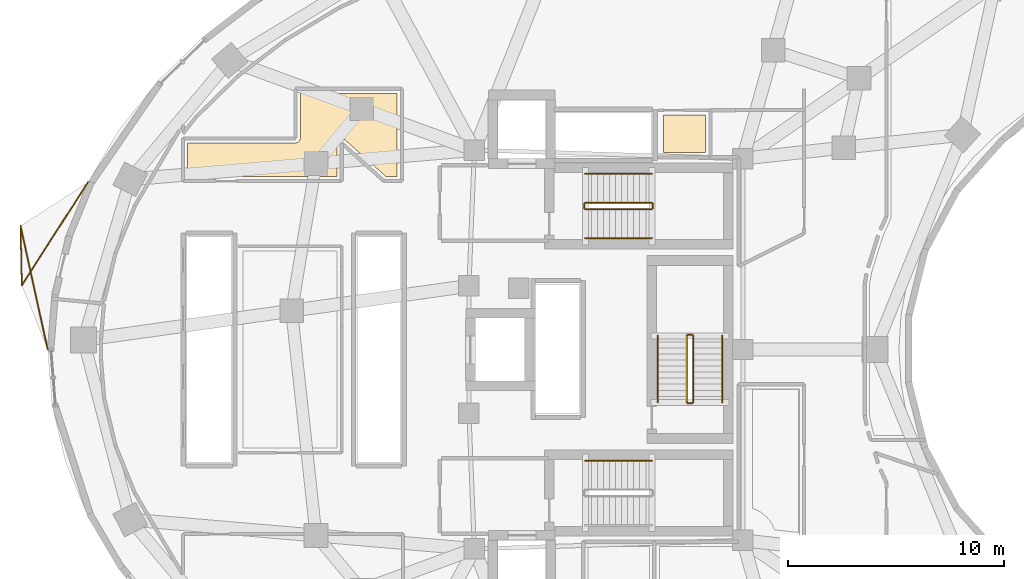
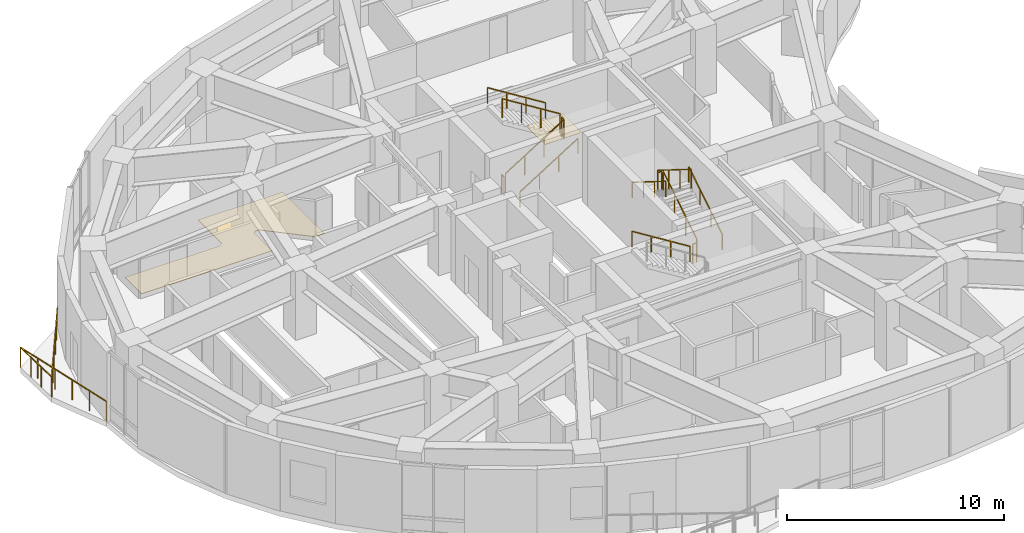
# One storey, part 12 of 13: 14 railings, 2 coverings.
"""IFC4 building model written with IfcOpenShell, lengths in metres."""

from ifc_helpers import new_model, si_unit, direction, frame, origin, origin_2d, place, context, subcontext, project, spatial, polyline, rectangle, outline, extrude, material, layer, layer_set, type_object, element, save


model = new_model("IFC4")

# Units and contexts
model_context = context("Model", 3, precision=1e-05, world=origin(), true_north=direction((0.0, 1.0)))
body_context = subcontext(model_context, "Body", "Model", "MODEL_VIEW")
ifc_project = project(units=[si_unit("LENGTHUNIT", "METRE"), si_unit("AREAUNIT", "SQUARE_METRE"), si_unit("VOLUMEUNIT", "CUBIC_METRE"), si_unit("PLANEANGLEUNIT", "RADIAN"), si_unit("MASSUNIT", "GRAM", prefix="KILO")], contexts=[model_context])

# Site, building, storey
site_placement = place(None, origin())
site = spatial("IfcSite", under=ifc_project, at=site_placement, CompositionType="ELEMENT")
building_placement = place(site_placement, origin())
building = spatial("IfcBuilding", under=site, at=building_placement, Name="Korentha Bioscience Tower", CompositionType="ELEMENT")
storey_placement = place(building_placement, frame((0.0, 0.0, 144.60009765625)))
storey = spatial("IfcBuildingStorey", under=building, at=storey_placement, Name="L33", CompositionType="ELEMENT", Elevation=144.60009765625)

# Covering
ifc_material_1 = material(Name="Vitrified Porcelain Tile", Category="ceramic")
ifc_layer_1 = layer(ifc_material_1, 0.014892578125, Name="Vitrified Porcelain Tile")
ifc_layer_set_1 = layer_set([ifc_layer_1], Name="Vitrified Porcelain Tile (FL-CER)")
covering_type_1 = type_object("IfcCoveringType", Name="Anti-Slip Ceramic Wet-Room Tile Flooring 15", PredefinedType="FLOORING", material=ifc_layer_set_1)
covering_1_placement = place(storey_placement, origin())
element("IfcCovering", 1, at=covering_1_placement, inside=storey, type_object=covering_type_1, Name="L33 Accessible Staff WC Floor Finish", PredefinedType="FLOORING", context=body_context, shape_type="SweptSolid", body=[
    extrude(outline(polyline([(33.8701171875, 36.1298828125), (33.8701171875, 37.8701171875), (35.830078125, 37.8701171875), (35.830078125, 36.1298828125), (33.8701171875, 36.1298828125)])), origin(), (0.0, 0.0, 1.0), 0.014892578125),
])

# Railings
ifc_material_2 = material(Name="Stainless Steel 304", Category="steel")
railing_type_1 = type_object("IfcRailingType", Name="Brushed Stainless Stair Handrail 900", PredefinedType="HANDRAIL", material=ifc_material_2)
railing_1_placement = place(storey_placement, frame((30.25, 32.14990234375, 0.1748046875)))
element("IfcRailing", 2, at=railing_1_placement, inside=storey, type_object=railing_type_1, Name="L33 ST-1 stair handrail 1", PredefinedType="HANDRAIL", context=body_context, shape_type="SweptSolid", body=[
    extrude(rectangle(XDim=0.048095703125, YDim=0.048095703125, at=origin_2d()), frame((0.0, 0.0, 0.8759765625), z_axis=(0.847998304005, 0.0, 0.529998940003), x_axis=(0.0, 1.0, 0.0)), (0.0, 0.0, 1.0), 3.632080078125),
    extrude(rectangle(XDim=0.0419921875, YDim=0.0419921875, at=origin_2d()), origin(), (0.0, 0.0, 1.0), 0.851806640625),
    extrude(rectangle(XDim=0.0419921875, YDim=0.0419921875, at=origin_2d()), frame((1.026611328125, 0.0, 0.6416015625)), (0.0, 0.0, 1.0), 0.851806640625),
    extrude(rectangle(XDim=0.0419921875, YDim=0.0419921875, at=origin_2d()), frame((2.053466796875, 0.0, 1.283447265625)), (0.0, 0.0, 1.0), 0.851806640625),
    extrude(rectangle(XDim=0.0419921875, YDim=0.0419921875, at=origin_2d()), frame((3.080078125, 0.0, 1.925048828125)), (0.0, 0.0, 1.0), 0.851806640625),
])
for number, where, name in (
    (3, (33.330078125, 35.14990234375, 2.27490234375), "L33 ST-1 stair handrail 2"),
    (4, (33.330078125, 21.85009765625, 2.27490234375), "L33 ST-2 stair handrail 2"),
):
    element("IfcRailing", number, at=place(storey_placement, frame(where)), inside=storey, type_object=railing_type_1, Name=name, PredefinedType="HANDRAIL", context=body_context, shape_type="SweptSolid", body=[
        extrude(rectangle(XDim=0.048095703125, YDim=0.048095703125, at=origin_2d()), frame((0.0, 0.0, 0.8759765625), z_axis=(-0.847998304005, 0.0, 0.529998940003), x_axis=(0.0, -1.0, 0.0)), (0.0, 0.0, 1.0), 3.632080078125),
        extrude(rectangle(XDim=0.0419921875, YDim=0.0419921875, at=origin_2d()), origin(), (0.0, 0.0, 1.0), 0.851806640625),
        extrude(rectangle(XDim=0.0419921875, YDim=0.0419921875, at=origin_2d()), frame((-1.026611328125, 0.0, 0.6416015625)), (0.0, 0.0, 1.0), 0.851806640625),
        extrude(rectangle(XDim=0.0419921875, YDim=0.0419921875, at=origin_2d()), frame((-2.053466796875, 0.0, 1.283447265625)), (0.0, 0.0, 1.0), 0.851806640625),
        extrude(rectangle(XDim=0.0419921875, YDim=0.0419921875, at=origin_2d()), frame((-3.080078125, 0.0, 1.925048828125)), (0.0, 0.0, 1.0), 0.851806640625),
    ])
railing_2_placement = place(storey_placement, frame((36.60009765625, 24.550048828125, 0.1748046875)))
element("IfcRailing", 5, at=railing_2_placement, inside=storey, type_object=railing_type_1, Name="L33 ST-3 stair handrail 1", PredefinedType="HANDRAIL", context=body_context, shape_type="SweptSolid", body=[
    extrude(rectangle(XDim=0.048095703125, YDim=0.048095703125, at=origin_2d()), frame((0.0, 0.0, 0.8759765625), z_axis=(0.0, 0.847979421464, 0.530029150871), x_axis=(-1.0, 0.0, 0.0)), (0.0, 0.0, 1.0), 3.632080078125),
    extrude(rectangle(XDim=0.0419921875, YDim=0.0419921875, at=origin_2d()), origin(), (0.0, 0.0, 1.0), 0.851806640625),
    extrude(rectangle(XDim=0.0419921875, YDim=0.0419921875, at=origin_2d()), frame((0.0, 1.026611328125, 0.6416015625)), (0.0, 0.0, 1.0), 0.851806640625),
    extrude(rectangle(XDim=0.0419921875, YDim=0.0419921875, at=origin_2d()), frame((0.0, 2.05322265625, 1.283447265625)), (0.0, 0.0, 1.0), 0.851806640625),
    extrude(rectangle(XDim=0.0419921875, YDim=0.0419921875, at=origin_2d()), frame((0.0, 3.079833984375, 1.925048828125)), (0.0, 0.0, 1.0), 0.851806640625),
])
railing_3_placement = place(storey_placement, frame((33.60009765625, 27.6298828125, 2.27490234375)))
element("IfcRailing", 6, at=railing_3_placement, inside=storey, type_object=railing_type_1, Name="L33 ST-3 stair handrail 2", PredefinedType="HANDRAIL", context=body_context, shape_type="SweptSolid", body=[
    extrude(rectangle(XDim=0.048095703125, YDim=0.048095703125, at=origin_2d()), frame((0.0, 0.0, 0.8759765625), z_axis=(0.0, -0.847979421464, 0.530029150871), x_axis=(1.0, 0.0, 0.0)), (0.0, 0.0, 1.0), 3.632080078125),
    extrude(rectangle(XDim=0.0419921875, YDim=0.0419921875, at=origin_2d()), origin(), (0.0, 0.0, 1.0), 0.851806640625),
    extrude(rectangle(XDim=0.0419921875, YDim=0.0419921875, at=origin_2d()), frame((0.0, -1.026611328125, 0.6416015625)), (0.0, 0.0, 1.0), 0.851806640625),
    extrude(rectangle(XDim=0.0419921875, YDim=0.0419921875, at=origin_2d()), frame((0.0, -2.05322265625, 1.283447265625)), (0.0, 0.0, 1.0), 0.851806640625),
    extrude(rectangle(XDim=0.0419921875, YDim=0.0419921875, at=origin_2d()), frame((0.0, -3.079833984375, 1.925048828125)), (0.0, 0.0, 1.0), 0.851806640625),
])

# Covering
ifc_material_3 = material(Name="Honed Travertine Limestone", Category="masonry")
ifc_layer_2 = layer(ifc_material_3, 0.02490234375, Name="Honed Travertine Limestone")
ifc_layer_set_2 = layer_set([ifc_layer_2], Name="Honed Travertine Limestone (FL-STN)")
covering_type_2 = type_object("IfcCoveringType", Name="Honed Travertine Lobby Stone Flooring 25", PredefinedType="FLOORING", material=ifc_layer_set_2)
covering_2_placement = place(storey_placement, origin())
element("IfcCovering", 7, at=covering_2_placement, inside=storey, type_object=covering_type_2, Name="L33 Floor Concierge Reception 11 Floor Finish", PredefinedType="FLOORING", context=body_context, shape_type="SweptSolid", body=[
    extrude(outline(polyline([(19.09326171875, 36.73193359375), (18.992431640625, 36.7783203125), (18.8818359375, 36.770751953125), (18.788330078125, 36.711181640625), (18.73486328125, 36.61328125), (18.72802734375, 35.030029296875), (11.81005859375, 35.030029296875), (11.81005859375, 36.570068359375), (16.800048828125, 36.570068359375), (16.9365234375, 36.614990234375), (16.99755859375, 36.68212890625), (17.02978515625, 36.789306640625), (17.030029296875, 38.8701171875), (21.52001953125, 38.8701171875), (21.52001953125, 35.030029296875), (20.990478515625, 35.030029296875), (19.09326171875, 36.73193359375)])), origin(), (0.0, 0.0, 1.0), 0.02490234375),
])

# Railings
ifc_material_4 = material(Name="Laminated Tempered Safety Glass", Category="glass")
railing_type_2 = type_object("IfcRailingType", Name="Laminated Glass Balcony Guardrail 1150", PredefinedType="BALUSTRADE", material=ifc_material_4)
railing_4_placement = place(storey_placement, frame((7.17626953125, 34.74609375, 0.0)))
element("IfcRailing", 8, at=railing_4_placement, inside=storey, type_object=railing_type_2, Name="L33 Balcony Guardrail 02", PredefinedType="BALUSTRADE", context=body_context, shape_type="SweptSolid", body=[
    extrude(rectangle(XDim=0.048095703125, YDim=0.048095703125, at=origin_2d()), frame((0.0, 0.0, 1.1259765625), z_axis=(-0.539985183443, -0.841674522403, 0.0), x_axis=(0.841674522403, -0.539985183443, 0.0)), (0.0, 0.0, 1.0), 5.6728515625),
    extrude(rectangle(XDim=0.048095703125, YDim=0.048095703125, at=origin_2d()), frame((-3.063232421875, -4.774658203125, 1.1259765625), z_axis=(-0.020618734894, 0.999787411289, 0.0), x_axis=(-0.999787411289, -0.020618734894, 0.0)), (0.0, 0.0, 1.0), 2.7587890625),
    extrude(rectangle(XDim=0.048095703125, YDim=0.048095703125, at=origin_2d()), frame((-3.1201171875, -2.016357421875, 1.1259765625), z_axis=(0.214417947437, -0.976742004737, 0.0), x_axis=(0.976742004737, 0.214417947437, 0.0)), (0.0, 0.0, 1.0), 5.8662109375),
    extrude(rectangle(XDim=0.0419921875, YDim=0.0419921875, at=origin_2d()), origin(), (0.0, 0.0, 1.0), 1.101806640625),
    extrude(rectangle(XDim=0.0419921875, YDim=0.0419921875, at=origin_2d()), frame((-0.612548828125, -0.954833984375, 0.0)), (0.0, 0.0, 1.0), 1.101806640625),
    extrude(rectangle(XDim=0.0419921875, YDim=0.0419921875, at=origin_2d()), frame((-1.225341796875, -1.909912109375, 0.0)), (0.0, 0.0, 1.0), 1.101806640625),
    extrude(rectangle(XDim=0.0419921875, YDim=0.0419921875, at=origin_2d()), frame((-1.837890625, -2.86474609375, 0.0)), (0.0, 0.0, 1.0), 1.101806640625),
    extrude(rectangle(XDim=0.0419921875, YDim=0.0419921875, at=origin_2d()), frame((-2.45068359375, -3.81982421875, 0.0)), (0.0, 0.0, 1.0), 1.101806640625),
    extrude(rectangle(XDim=0.0419921875, YDim=0.0419921875, at=origin_2d()), frame((-3.063232421875, -4.774658203125, 0.0)), (0.0, 0.0, 1.0), 1.101806640625),
    extrude(rectangle(XDim=0.0419921875, YDim=0.0419921875, at=origin_2d()), frame((-3.082275390625, -3.855224609375, 0.0)), (0.0, 0.0, 1.0), 1.101806640625),
    extrude(rectangle(XDim=0.0419921875, YDim=0.0419921875, at=origin_2d()), frame((-3.10107421875, -2.935791015625, 0.0)), (0.0, 0.0, 1.0), 1.101806640625),
    extrude(rectangle(XDim=0.0419921875, YDim=0.0419921875, at=origin_2d()), frame((-3.1201171875, -2.016357421875, 0.0)), (0.0, 0.0, 1.0), 1.101806640625),
    extrude(rectangle(XDim=0.0419921875, YDim=0.0419921875, at=origin_2d()), frame((-2.86865234375, -3.162353515625, 0.0)), (0.0, 0.0, 1.0), 1.101806640625),
    extrude(rectangle(XDim=0.0419921875, YDim=0.0419921875, at=origin_2d()), frame((-2.616943359375, -4.308349609375, 0.0)), (0.0, 0.0, 1.0), 1.101806640625),
    extrude(rectangle(XDim=0.0419921875, YDim=0.0419921875, at=origin_2d()), frame((-2.365478515625, -5.4541015625, 0.0)), (0.0, 0.0, 1.0), 1.101806640625),
    extrude(rectangle(XDim=0.0419921875, YDim=0.0419921875, at=origin_2d()), frame((-2.11376953125, -6.60009765625, 0.0)), (0.0, 0.0, 1.0), 1.101806640625),
    extrude(rectangle(XDim=0.0419921875, YDim=0.0419921875, at=origin_2d()), frame((-1.8623046875, -7.74609375, 0.0)), (0.0, 0.0, 1.0), 1.101806640625),
])
ifc_material_5 = material(Name="Painted Steel S275", Category="steel")
railing_type_3 = type_object("IfcRailingType", Name="Painted Steel Stair Well Guardrail 1100", PredefinedType="GUARDRAIL", material=ifc_material_5)
railing_5_placement = place(storey_placement, frame((30.25, 33.5, 0.1748046875)))
element("IfcRailing", 9, at=railing_5_placement, inside=storey, type_object=railing_type_3, Name="L33 ST-1 stair guard 1", PredefinedType="GUARDRAIL", context=body_context, shape_type="SweptSolid", body=[
    extrude(rectangle(XDim=0.048095703125, YDim=0.048095703125, at=origin_2d()), frame((0.0, 0.0, 1.076171875), z_axis=(0.847998304005, 0.0, 0.529998940003), x_axis=(0.0, 1.0, 0.0)), (0.0, 0.0, 1.0), 3.632080078125),
    extrude(rectangle(XDim=0.0419921875, YDim=0.0419921875, at=origin_2d()), origin(), (0.0, 0.0, 1.0), 1.052001953125),
    extrude(rectangle(XDim=0.0419921875, YDim=0.0419921875, at=origin_2d()), frame((1.026611328125, 0.0, 0.6416015625)), (0.0, 0.0, 1.0), 1.052001953125),
    extrude(rectangle(XDim=0.0419921875, YDim=0.0419921875, at=origin_2d()), frame((2.053466796875, 0.0, 1.283447265625)), (0.0, 0.0, 1.0), 1.052001953125),
    extrude(rectangle(XDim=0.0419921875, YDim=0.0419921875, at=origin_2d()), frame((3.080078125, 0.0, 1.925048828125)), (0.0, 0.0, 1.0), 1.052001953125),
])
railing_6_placement = place(storey_placement, frame((33.3798828125, 33.550048828125, 2.099853515625)))
element("IfcRailing", 10, at=railing_6_placement, inside=storey, type_object=railing_type_3, Name="L33 ST-1 stair guard 2", PredefinedType="GUARDRAIL", context=body_context, shape_type="SweptSolid", body=[
    extrude(rectangle(XDim=0.048095703125, YDim=0.048095703125, at=origin_2d()), frame((0.0, 0.0, 1.076171875), z_axis=(0.0, 1.0, 0.0), x_axis=(-1.0, 0.0, 0.0)), (0.0, 0.0, 1.0), 0.199951171875),
    extrude(rectangle(XDim=0.0419921875, YDim=0.0419921875, at=origin_2d()), origin(), (0.0, 0.0, 1.0), 1.052001953125),
    extrude(rectangle(XDim=0.0419921875, YDim=0.0419921875, at=origin_2d()), frame((0.0, 0.199951171875, 0.0)), (0.0, 0.0, 1.0), 1.052001953125),
])
railing_7_placement = place(storey_placement, frame((33.330078125, 33.800048828125, 2.27490234375)))
element("IfcRailing", 11, at=railing_7_placement, inside=storey, type_object=railing_type_3, Name="L33 ST-1 stair guard 3", PredefinedType="GUARDRAIL", context=body_context, shape_type="SweptSolid", body=[
    extrude(rectangle(XDim=0.048095703125, YDim=0.048095703125, at=origin_2d()), frame((0.0, 0.0, 1.076171875), z_axis=(-0.847998304005, 0.0, 0.529998940003), x_axis=(0.0, -1.0, 0.0)), (0.0, 0.0, 1.0), 3.632080078125),
    extrude(rectangle(XDim=0.0419921875, YDim=0.0419921875, at=origin_2d()), origin(), (0.0, 0.0, 1.0), 1.052001953125),
    extrude(rectangle(XDim=0.0419921875, YDim=0.0419921875, at=origin_2d()), frame((-1.026611328125, 0.0, 0.6416015625)), (0.0, 0.0, 1.0), 1.052001953125),
    extrude(rectangle(XDim=0.0419921875, YDim=0.0419921875, at=origin_2d()), frame((-2.053466796875, 0.0, 1.283447265625)), (0.0, 0.0, 1.0), 1.052001953125),
    extrude(rectangle(XDim=0.0419921875, YDim=0.0419921875, at=origin_2d()), frame((-3.080078125, 0.0, 1.925048828125)), (0.0, 0.0, 1.0), 1.052001953125),
])
railing_8_placement = place(storey_placement, frame((30.199951171875, 33.550048828125, 0.0)))
element("IfcRailing", 12, at=railing_8_placement, inside=storey, type_object=railing_type_3, Name="L33 ST-1 stair guard 4", PredefinedType="GUARDRAIL", context=body_context, shape_type="SweptSolid", body=[
    extrude(rectangle(XDim=0.048095703125, YDim=0.048095703125, at=origin_2d()), frame((0.0, 0.0, 1.076171875), z_axis=(0.0, 1.0, 0.0), x_axis=(-1.0, 0.0, 0.0)), (0.0, 0.0, 1.0), 0.199951171875),
    extrude(rectangle(XDim=0.0419921875, YDim=0.0419921875, at=origin_2d()), origin(), (0.0, 0.0, 1.0), 1.052001953125),
    extrude(rectangle(XDim=0.0419921875, YDim=0.0419921875, at=origin_2d()), frame((0.0, 0.199951171875, 0.0)), (0.0, 0.0, 1.0), 1.052001953125),
])
railing_9_placement = place(storey_placement, frame((35.25, 24.550048828125, 0.1748046875)))
element("IfcRailing", 13, at=railing_9_placement, inside=storey, type_object=railing_type_3, Name="L33 ST-3 stair guard 1", PredefinedType="GUARDRAIL", context=body_context, shape_type="SweptSolid", body=[
    extrude(rectangle(XDim=0.048095703125, YDim=0.048095703125, at=origin_2d()), frame((0.0, 0.0, 1.076171875), z_axis=(0.0, 0.847979421464, 0.530029150871), x_axis=(-1.0, 0.0, 0.0)), (0.0, 0.0, 1.0), 3.632080078125),
    extrude(rectangle(XDim=0.0419921875, YDim=0.0419921875, at=origin_2d()), origin(), (0.0, 0.0, 1.0), 1.052001953125),
    extrude(rectangle(XDim=0.0419921875, YDim=0.0419921875, at=origin_2d()), frame((0.0, 1.026611328125, 0.6416015625)), (0.0, 0.0, 1.0), 1.052001953125),
    extrude(rectangle(XDim=0.0419921875, YDim=0.0419921875, at=origin_2d()), frame((0.0, 2.05322265625, 1.283447265625)), (0.0, 0.0, 1.0), 1.052001953125),
    extrude(rectangle(XDim=0.0419921875, YDim=0.0419921875, at=origin_2d()), frame((0.0, 3.079833984375, 1.925048828125)), (0.0, 0.0, 1.0), 1.052001953125),
])
railing_10_placement = place(storey_placement, frame((35.199951171875, 27.679931640625, 2.099853515625)))
element("IfcRailing", 14, at=railing_10_placement, inside=storey, type_object=railing_type_3, Name="L33 ST-3 stair guard 2", PredefinedType="GUARDRAIL", context=body_context, shape_type="SweptSolid", body=[
    extrude(rectangle(XDim=0.048095703125, YDim=0.048095703125, at=origin_2d()), frame((0.0, 0.0, 1.076171875), z_axis=(-1.0, 0.0, 0.0), x_axis=(0.0, -1.0, 0.0)), (0.0, 0.0, 1.0), 0.199951171875),
    extrude(rectangle(XDim=0.0419921875, YDim=0.0419921875, at=origin_2d()), origin(), (0.0, 0.0, 1.0), 1.052001953125),
    extrude(rectangle(XDim=0.0419921875, YDim=0.0419921875, at=origin_2d()), frame((-0.199951171875, 0.0, 0.0)), (0.0, 0.0, 1.0), 1.052001953125),
])
railing_11_placement = place(storey_placement, frame((34.949951171875, 27.6298828125, 2.27490234375)))
element("IfcRailing", 15, at=railing_11_placement, inside=storey, type_object=railing_type_3, Name="L33 ST-3 stair guard 3", PredefinedType="GUARDRAIL", context=body_context, shape_type="SweptSolid", body=[
    extrude(rectangle(XDim=0.048095703125, YDim=0.048095703125, at=origin_2d()), frame((0.0, 0.0, 1.076171875), z_axis=(0.0, -0.847979421464, 0.530029150871), x_axis=(1.0, 0.0, 0.0)), (0.0, 0.0, 1.0), 3.632080078125),
    extrude(rectangle(XDim=0.0419921875, YDim=0.0419921875, at=origin_2d()), origin(), (0.0, 0.0, 1.0), 1.052001953125),
    extrude(rectangle(XDim=0.0419921875, YDim=0.0419921875, at=origin_2d()), frame((0.0, -1.026611328125, 0.6416015625)), (0.0, 0.0, 1.0), 1.052001953125),
    extrude(rectangle(XDim=0.0419921875, YDim=0.0419921875, at=origin_2d()), frame((0.0, -2.05322265625, 1.283447265625)), (0.0, 0.0, 1.0), 1.052001953125),
    extrude(rectangle(XDim=0.0419921875, YDim=0.0419921875, at=origin_2d()), frame((0.0, -3.079833984375, 1.925048828125)), (0.0, 0.0, 1.0), 1.052001953125),
])
railing_12_placement = place(storey_placement, frame((35.199951171875, 24.5, 0.0)))
element("IfcRailing", 16, at=railing_12_placement, inside=storey, type_object=railing_type_3, Name="L33 ST-3 stair guard 4", PredefinedType="GUARDRAIL", context=body_context, shape_type="SweptSolid", body=[
    extrude(rectangle(XDim=0.048095703125, YDim=0.048095703125, at=origin_2d()), frame((0.0, 0.0, 1.076171875), z_axis=(-1.0, 0.0, 0.0), x_axis=(0.0, -1.0, 0.0)), (0.0, 0.0, 1.0), 0.199951171875),
    extrude(rectangle(XDim=0.0419921875, YDim=0.0419921875, at=origin_2d()), origin(), (0.0, 0.0, 1.0), 1.052001953125),
    extrude(rectangle(XDim=0.0419921875, YDim=0.0419921875, at=origin_2d()), frame((-0.199951171875, 0.0, 0.0)), (0.0, 0.0, 1.0), 1.052001953125),
])

save(model, "model.ifc")
